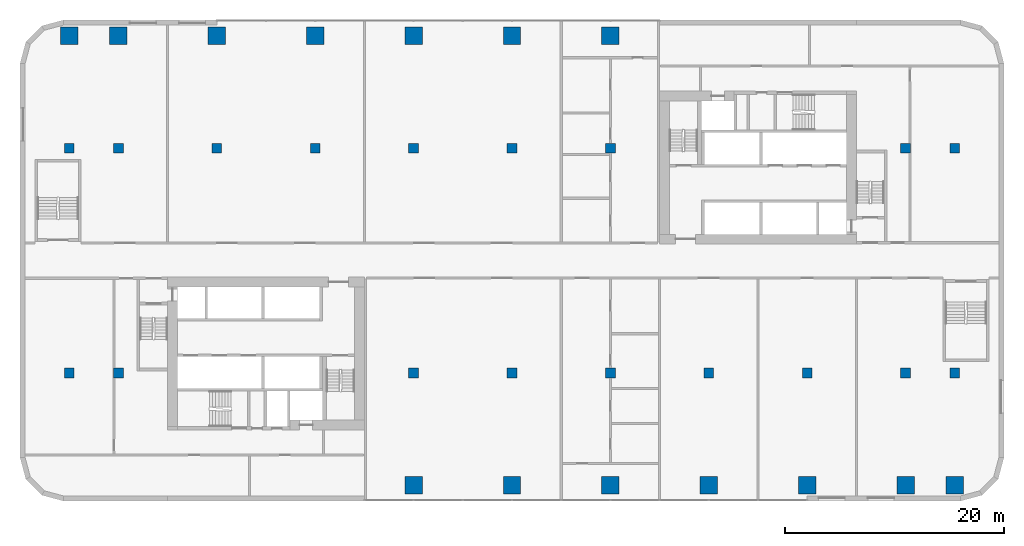
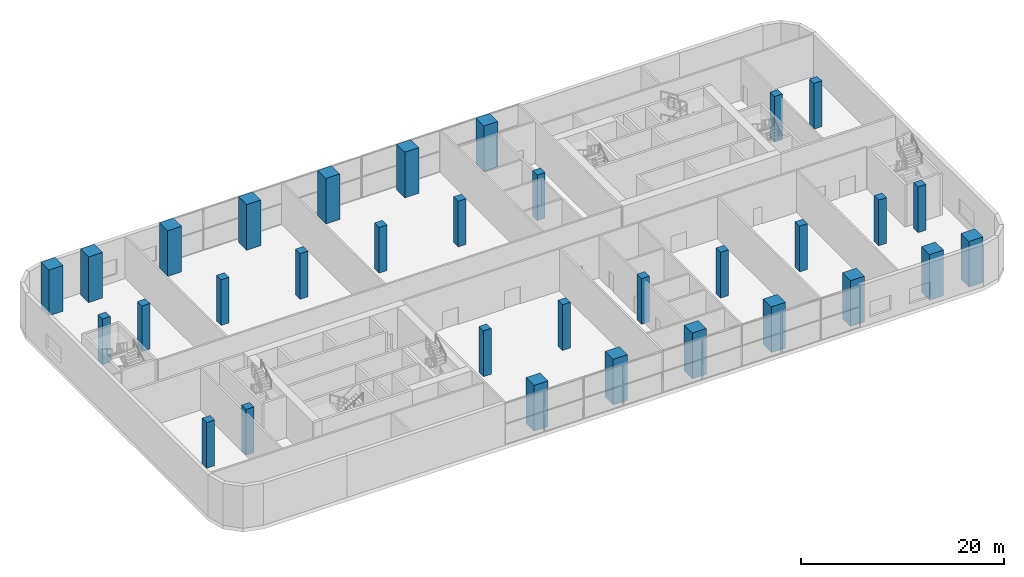
# One storey, part 1 of 21: 32 columns.
"""IFC4 building model written with IfcOpenShell, lengths in metres."""

import ifcopenshell
import ifcopenshell.guid

model = None  # the IFC model being written
_history = None  # IfcOwnerHistory: only IFC2X3 demands one
_inside = {}  # id of a spatial element -> (the spatial element, [elements in it])
_under = {}  # id of a project, library or spatial element -> (it, [spatial elements below it])
_declared = {}  # id of a project -> (the project, [libraries it declares])
_typed = {}  # id of a type object -> (the type object, [elements of that type])
_made_of = {}  # id of a material, layer set ... -> (it, [elements and type objects made of it])


def new_model(schema):
    """Start an empty IFC model of exactly this schema.

    Asked for "IFC4X3", IfcOpenShell would pick the latest addendum, in which some entities
    have other attributes; the version numbers below select the first issue.
    IFC2X3 requires an IfcOwnerHistory on every rooted entity: one is made here for all.
    """
    global model, _history
    if schema == "IFC4X3":
        model = ifcopenshell.file(schema_version=(4, 3, 0, 0))
    else:
        model = ifcopenshell.file(schema=schema)
    _inside.clear()
    _under.clear()
    _declared.clear()
    _typed.clear()
    _made_of.clear()
    _history = None
    if model.schema == "IFC2X3":
        org = make("IfcOrganization", Name="unknown")
        user = make(
            "IfcPersonAndOrganization",
            ThePerson=make("IfcPerson", FamilyName="unknown"),
            TheOrganization=org,
        )
        app = make(
            "IfcApplication",
            ApplicationDeveloper=org,
            Version="unknown",
            ApplicationFullName="unknown",
            ApplicationIdentifier="unknown",
        )
        _history = make(
            "IfcOwnerHistory",
            OwningUser=user,
            OwningApplication=app,
            ChangeAction="ADDED",
            CreationDate=0,
        )
    return model


def make(cls, **values):
    """One entity of the class cls with the attributes given. An attribute that is None is left unset."""
    return model.create_entity(
        cls, **{name: value for name, value in values.items() if value is not None}
    )


def rooted(cls, **values):
    """An entity with a GlobalId (a new one), such as an element, a storey or a relation."""
    return make(cls, GlobalId=ifcopenshell.guid.new(), OwnerHistory=_history, **values)


def si_unit(unit_type, name, prefix=None):
    """IfcSIUnit, for example si_unit("LENGTHUNIT", "METRE", prefix="MILLI")."""
    return make("IfcSIUnit", UnitType=unit_type, Prefix=prefix, Name=name)


def assignment(units):
    """IfcUnitAssignment: the units of a project."""
    return None if units is None else make("IfcUnitAssignment", Units=units)


def point(xyz):
    """IfcCartesianPoint."""
    return None if xyz is None else make("IfcCartesianPoint", Coordinates=xyz)


def direction(xyz):
    """IfcDirection."""
    return None if xyz is None else make("IfcDirection", DirectionRatios=xyz)


def frame(location, z_axis=None, x_axis=None):
    """IfcAxis2Placement3D, a coordinate frame: its origin and axes. An axis left out is left unset."""
    return make(
        "IfcAxis2Placement3D",
        Location=point(location),
        Axis=direction(z_axis),
        RefDirection=direction(x_axis),
    )


def frame_2d(location, x_axis=None):
    """IfcAxis2Placement2D, a coordinate frame in the plane: its origin and x axis."""
    return make(
        "IfcAxis2Placement2D", Location=point(location), RefDirection=direction(x_axis)
    )


def origin():
    """The frame at (0, 0, 0) with its axes left unset."""
    return frame((0.0, 0.0, 0.0))


def origin_2d():
    """The frame at (0, 0) in the plane with its x axis left unset."""
    return frame_2d((0.0, 0.0))


def place(relative_to, where):
    """IfcLocalPlacement: puts the frame where relative to a parent placement (None: the world)."""
    return make(
        "IfcLocalPlacement", PlacementRelTo=relative_to, RelativePlacement=where
    )


def context(
    kind, dimensions, precision=None, world=None, true_north=None, identifier=None
):
    """IfcGeometricRepresentationContext, for example the 3D "Model" context."""
    return make(
        "IfcGeometricRepresentationContext",
        ContextIdentifier=identifier,
        ContextType=kind,
        CoordinateSpaceDimension=dimensions,
        Precision=precision,
        WorldCoordinateSystem=world,
        TrueNorth=true_north,
    )


def subcontext(parent, identifier, kind, view, scale=None):
    """IfcGeometricRepresentationSubContext, for example "Body" below "Model"."""
    return make(
        "IfcGeometricRepresentationSubContext",
        ContextIdentifier=identifier,
        ContextType=kind,
        ParentContext=parent,
        TargetScale=scale,
        TargetView=view,
    )


def project(units=None, contexts=None):
    """IfcProject with its units and contexts."""
    return rooted(
        "IfcProject",
        Name="project",
        RepresentationContexts=contexts,
        UnitsInContext=assignment(units),
    )


def spatial(cls, under=None, at=None, **own):
    """A site, building, storey or space (cls), placed at a placement, below another one or the project."""
    s = rooted(cls, ObjectPlacement=at, **own)
    if under is not None:
        _under.setdefault(under.id(), (under, []))[1].append(s)
    return s


def profile(cls, at=None, kind="AREA", **sizes):
    """A parametric profile (cls). Its sizes go by their IFC names, for example OverallWidth=200.0."""
    return make(cls, ProfileType=kind, Position=at, **sizes)


def rectangle(**sizes):
    """IfcRectangleProfileDef."""
    return profile("IfcRectangleProfileDef", **sizes)


def extrude(swept, where, along, depth):
    """IfcExtrudedAreaSolid: the profile swept, set in the frame where, extruded along a direction by depth."""
    return make(
        "IfcExtrudedAreaSolid",
        SweptArea=swept,
        Position=where,
        ExtrudedDirection=direction(along),
        Depth=depth,
    )


def shape(context_of_items, identifier, shape_type, items):
    """IfcShapeRepresentation: the items that make up one representation, for example the "Body"."""
    return make(
        "IfcShapeRepresentation",
        ContextOfItems=context_of_items,
        RepresentationIdentifier=identifier,
        RepresentationType=shape_type,
        Items=items,
    )


def material(Name=None, Category=None):
    """IfcMaterial."""
    return make("IfcMaterial", Name=Name, Category=Category)


def material_profile(
    of_material, cross_section, Name=None, Category=None, Priority=None
):
    """IfcMaterialProfile: a cross section and its material."""
    return make(
        "IfcMaterialProfile",
        Name=Name,
        Material=of_material,
        Profile=cross_section,
        Priority=Priority,
        Category=Category,
    )


def profile_set(profiles, Name=None, composite=None):
    """IfcMaterialProfileSet."""
    return make(
        "IfcMaterialProfileSet",
        Name=Name,
        MaterialProfiles=profiles,
        CompositeProfile=composite,
    )


def made_of(thing, what):
    """Note that an element or type object is made of a material, layer set ...; save() writes the relation."""
    if what is not None:
        _made_of.setdefault(what.id(), (what, []))[1].append(thing)
    return thing


def type_object(cls, material=None, **own):
    """A type object (cls), such as IfcWallType, which elements share."""
    return made_of(rooted(cls, **own), material)


def element(
    cls,
    number,
    at=None,
    inside=None,
    cuts=None,
    type_object=None,
    material=None,
    context=None,
    identifier="Body",
    shape_type=None,
    held_by="IfcProductDefinitionShape",
    body=None,
    shapes=None,
    **own,
):
    """One element of the class cls, such as IfcWall. Its Tag is "e" and its number.

    at: its placement. inside: the storey or other place that contains it. cuts: it is an
    opening in that element (IfcRelVoidsElement). A single representation is given by context,
    identifier, shape_type and body (its items); several are given by shapes. held_by: the class
    of the entity that holds the representations. save() writes the other relations.
    """
    e = rooted(cls, Tag="e%d" % number, ObjectPlacement=at, **own)
    if body is not None:
        shapes = [shape(context, identifier, shape_type, body)]
    if shapes is not None:
        e.Representation = make(held_by, Representations=shapes)
    if inside is not None:
        _inside.setdefault(inside.id(), (inside, []))[1].append(e)
    if cuts is not None:
        rooted(
            "IfcRelVoidsElement", RelatingBuildingElement=cuts, RelatedOpeningElement=e
        )
    if type_object is not None:
        _typed.setdefault(type_object.id(), (type_object, []))[1].append(e)
    return made_of(e, material)


def aggregate(whole, parts):
    """IfcRelAggregates: a whole, such as a stair, and the parts it consists of."""
    return rooted("IfcRelAggregates", RelatingObject=whole, RelatedObjects=parts)


def save(model, path):
    """Write the relations noted so far, then the file.

    IfcRelAggregates (storeys below a building ...), IfcRelContainedInSpatialStructure (elements
    in a storey), IfcRelDefinesByType, IfcRelAssociatesMaterial and IfcRelDeclares: one each for
    every whole, place, type object, material and project.
    """
    for whole, parts in _under.values():
        aggregate(whole, parts)
    for where, things in _inside.values():
        rooted(
            "IfcRelContainedInSpatialStructure",
            RelatedElements=things,
            RelatingStructure=where,
        )
    for kind, things in _typed.values():
        rooted("IfcRelDefinesByType", RelatedObjects=things, RelatingType=kind)
    for what, things in _made_of.values():
        rooted("IfcRelAssociatesMaterial", RelatedObjects=things, RelatingMaterial=what)
    for by, libraries in _declared.values():
        rooted("IfcRelDeclares", RelatingContext=by, RelatedDefinitions=libraries)
    model.write(path)


model = new_model("IFC4")

# Units and contexts
model_context = context("Model", 3, precision=1e-05, world=origin(), true_north=direction((0.0, 1.0)))
body_context = subcontext(model_context, "Body", "Model", "MODEL_VIEW")
ifc_project = project(units=[si_unit("LENGTHUNIT", "METRE"), si_unit("AREAUNIT", "SQUARE_METRE"), si_unit("VOLUMEUNIT", "CUBIC_METRE"), si_unit("PLANEANGLEUNIT", "RADIAN"), si_unit("MASSUNIT", "GRAM", prefix="KILO")], contexts=[model_context])

# Site, building, storey
site_placement = place(None, origin())
site = spatial("IfcSite", under=ifc_project, at=site_placement, CompositionType="ELEMENT")
building_placement = place(site_placement, origin())
building = spatial("IfcBuilding", under=site, at=building_placement, Name="Kajstack Hotel Tower", CompositionType="ELEMENT")
storey_placement = place(building_placement, frame((0.0, 0.0, 23.5)))
storey = spatial("IfcBuildingStorey", under=building, at=storey_placement, Name="L03", CompositionType="ELEMENT", Elevation=23.5)

# Columns
ifc_material_1 = material(Name="Concrete C70/85", Category="concrete")
ifc_material_profile_1 = material_profile(ifc_material_1, rectangle(XDim=1.60009765625, YDim=1.60009765625, at=origin_2d()), Name="RC 1600x1600")
ifc_profile_set_1 = profile_set([ifc_material_profile_1], Name="Concrete C70/85")
column_type_1 = type_object("IfcColumnType", Name="RC 1600x1600 C70/85", PredefinedType="COLUMN", material=ifc_profile_set_1)
for number, where, z_axis, x_axis, name in (
    (1, (-40.5, 20.550048828125, 0.0), (0.0, 0.0, 1.0), (1.0, 0.0, 0.0), "S-col-mega-L03--40p5+20p6"),
    (2, (-36.0, 20.550048828125, 0.0), (0.0, 0.0, 1.0), (1.0, 0.0, 0.0), "S-col-mega-L03--36p0+20p6"),
    (3, (-27.0, 20.550048828125, 0.0), (0.0, 0.0, 1.0), (1.0, 0.0, 0.0), "S-col-mega-L03--27p0+20p6"),
    (4, (-18.0, 20.550048828125, 0.0), (0.0, 0.0, 1.0), (1.0, 0.0, 0.0), "S-col-mega-L03--18p0+20p6"),
    (5, (-9.0, -20.550048828125, 0.0), (0.0, 0.0, 1.0), (1.0, 0.0, 0.0), "S-col-mega-L03--9p0-20p6"),
    (6, (-9.0, 20.550048828125, 0.0), (0.0, 0.0, 1.0), (1.0, 0.0, 0.0), "S-col-mega-L03--9p0+20p6"),
    (7, (0.0, -20.550048828125, 0.0), (0.0, 0.0, 1.0), (1.0, 0.0, 0.0), "S-col-mega-L03-+0p0-20p6"),
    (8, (0.0, 20.550048828125, 0.0), (0.0, 0.0, 1.0), (1.0, 0.0, 0.0), "S-col-mega-L03-+0p0+20p6"),
    (9, (9.0, -20.550048828125, 0.0), (0.0, 0.0, 1.0), (1.0, 0.0, 0.0), "S-col-mega-L03-+9p0-20p6"),
    (10, (9.0, 20.550048828125, 0.0), (0.0, 0.0, 1.0), (1.0, 0.0, 0.0), "S-col-mega-L03-+9p0+20p6"),
    (11, (18.0, -20.550048828125, 0.0), (0.0, 0.0, 1.0), (1.0, 0.0, 0.0), "S-col-mega-L03-+18p0-20p6"),
    (12, (27.0, -20.550048828125, 0.0), (0.0, 0.0, 1.0), (1.0, 0.0, 0.0), "S-col-mega-L03-+27p0-20p6"),
    (13, (36.0, -20.550048828125, 0.0), (0.0, 0.0, 1.0), (1.0, 0.0, 0.0), "S-col-mega-L03-+36p0-20p6"),
    (14, (40.5, -20.550048828125, 0.0), (0.0, 0.0, 1.0), (1.0, 0.0, 0.0), "S-col-mega-L03-+40p5-20p6"),
):
    element("IfcColumn", number, at=place(storey_placement, frame(where, z_axis=z_axis, x_axis=x_axis)), inside=storey, type_object=column_type_1, Name=name, PredefinedType="COLUMN", context=body_context, shape_type="SweptSolid", body=[
        extrude(rectangle(XDim=1.60009765625, YDim=1.60009765625, at=origin_2d()), origin(), (0.0, 0.0, 1.0), 5.5),
    ])
ifc_material_2 = material(Name="Concrete C50/60", Category="concrete")
ifc_material_profile_2 = material_profile(ifc_material_2, rectangle(XDim=0.89990234375, YDim=0.89990234375, at=origin_2d()), Name="RC 900x900")
ifc_profile_set_2 = profile_set([ifc_material_profile_2], Name="Concrete C50/60")
column_type_2 = type_object("IfcColumnType", Name="RC 900x900 C50/60", PredefinedType="COLUMN", material=ifc_profile_set_2)
for number, where, z_axis, x_axis, name in (
    (15, (-40.5, -10.27490234375, 0.0), (0.0, 0.0, 1.0), (1.0, 0.0, 0.0), "S-col-int-L03--40p5-10p3"),
    (16, (-40.5, 10.27490234375, 0.0), (0.0, 0.0, 1.0), (1.0, 0.0, 0.0), "S-col-int-L03--40p5+10p3"),
    (17, (-36.0, -10.27490234375, 0.0), (0.0, 0.0, 1.0), (1.0, 0.0, 0.0), "S-col-int-L03--36p0-10p3"),
    (18, (-36.0, 10.27490234375, 0.0), (0.0, 0.0, 1.0), (1.0, 0.0, 0.0), "S-col-int-L03--36p0+10p3"),
    (19, (-27.0, 10.27490234375, 0.0), (0.0, 0.0, 1.0), (1.0, 0.0, 0.0), "S-col-int-L03--27p0+10p3"),
    (20, (-18.0, 10.27490234375, 0.0), (0.0, 0.0, 1.0), (1.0, 0.0, 0.0), "S-col-int-L03--18p0+10p3"),
    (21, (-9.0, -10.27490234375, 0.0), (0.0, 0.0, 1.0), (1.0, 0.0, 0.0), "S-col-int-L03--9p0-10p3"),
    (22, (-9.0, 10.27490234375, 0.0), (0.0, 0.0, 1.0), (1.0, 0.0, 0.0), "S-col-int-L03--9p0+10p3"),
    (23, (0.0, -10.27490234375, 0.0), (0.0, 0.0, 1.0), (1.0, 0.0, 0.0), "S-col-int-L03-+0p0-10p3"),
    (24, (0.0, 10.27490234375, 0.0), (0.0, 0.0, 1.0), (1.0, 0.0, 0.0), "S-col-int-L03-+0p0+10p3"),
    (25, (9.0, -10.27490234375, 0.0), (0.0, 0.0, 1.0), (1.0, 0.0, 0.0), "S-col-int-L03-+9p0-10p3"),
    (26, (9.0, 10.27490234375, 0.0), (0.0, 0.0, 1.0), (1.0, 0.0, 0.0), "S-col-int-L03-+9p0+10p3"),
    (27, (18.0, -10.27490234375, 0.0), (0.0, 0.0, 1.0), (1.0, 0.0, 0.0), "S-col-int-L03-+18p0-10p3"),
    (28, (27.0, -10.27490234375, 0.0), (0.0, 0.0, 1.0), (1.0, 0.0, 0.0), "S-col-int-L03-+27p0-10p3"),
    (29, (36.0, -10.27490234375, 0.0), (0.0, 0.0, 1.0), (1.0, 0.0, 0.0), "S-col-int-L03-+36p0-10p3"),
    (30, (36.0, 10.27490234375, 0.0), (0.0, 0.0, 1.0), (1.0, 0.0, 0.0), "S-col-int-L03-+36p0+10p3"),
    (31, (40.5, -10.27490234375, 0.0), (0.0, 0.0, 1.0), (1.0, 0.0, 0.0), "S-col-int-L03-+40p5-10p3"),
    (32, (40.5, 10.27490234375, 0.0), (0.0, 0.0, 1.0), (1.0, 0.0, 0.0), "S-col-int-L03-+40p5+10p3"),
):
    element("IfcColumn", number, at=place(storey_placement, frame(where, z_axis=z_axis, x_axis=x_axis)), inside=storey, type_object=column_type_2, Name=name, PredefinedType="COLUMN", context=body_context, shape_type="SweptSolid", body=[
        extrude(rectangle(XDim=0.89990234375, YDim=0.89990234375, at=origin_2d()), origin(), (0.0, 0.0, 1.0), 5.5),
    ])

save(model, "model.ifc")
